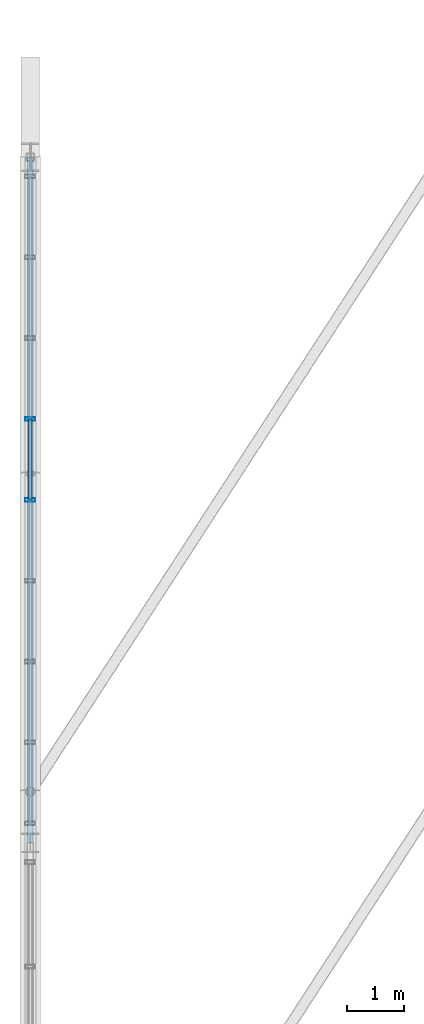
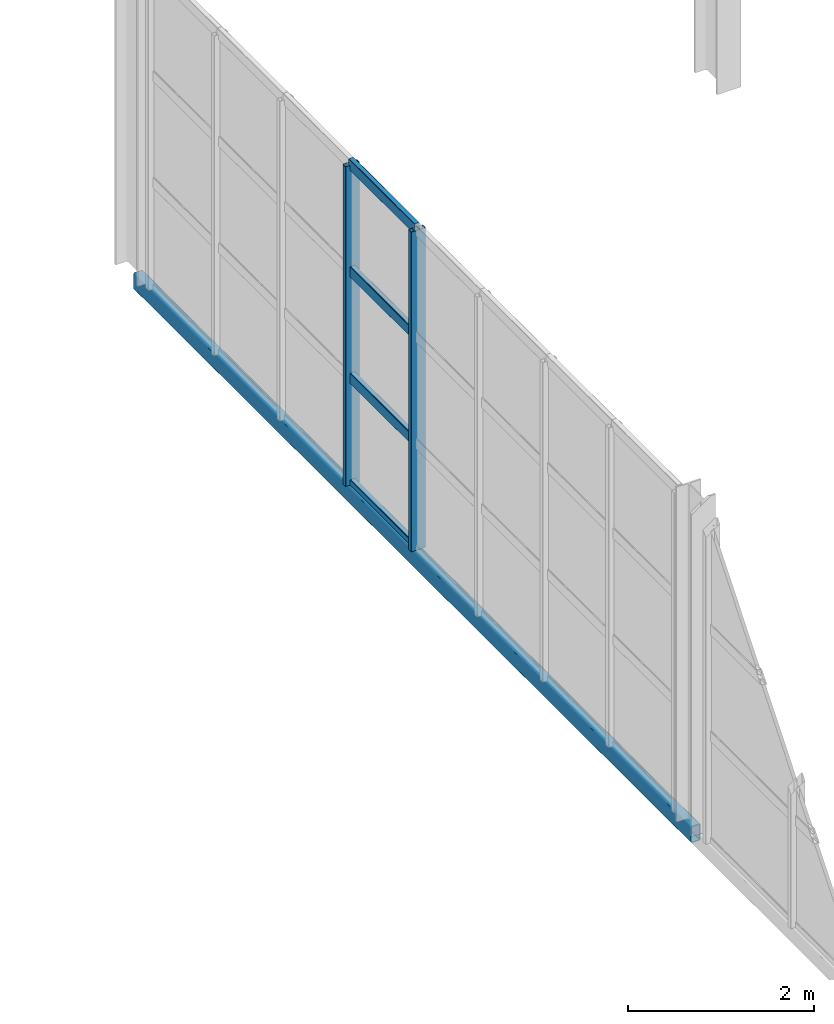
# One storey, part 51 of 153: 6 members, 1 beam, 1 element without a shape of its own.
"""IFC4 building model written with IfcOpenShell, lengths in metres."""

from ifc_helpers import new_model, si_unit, derived_unit, direction, frame, origin, origin_2d, place, context, subcontext, project, spatial, hollow_rectangle, extrude, material, material_profile, profile_set, type_object, element, aggregate, save


model = new_model("IFC4")

# Units and contexts
model_context = context("Model", 3, precision=1e-05, world=origin(), true_north=direction((0.0, 1.0)))
body_context = subcontext(model_context, "Body", "Model", "MODEL_VIEW")
ifc_project = project(units=[si_unit("LENGTHUNIT", "METRE"), si_unit("AREAUNIT", "SQUARE_METRE"), si_unit("VOLUMEUNIT", "CUBIC_METRE"), si_unit("PLANEANGLEUNIT", "RADIAN"), si_unit("MASSUNIT", "GRAM", prefix="KILO"), derived_unit("THERMALTRANSMITTANCEUNIT", [(si_unit("POWERUNIT", "WATT"), 1), (si_unit("LENGTHUNIT", "METRE"), -2), (si_unit("THERMODYNAMICTEMPERATUREUNIT", "KELVIN"), -1)])], contexts=[model_context])

# Site, building, storey
site_placement = place(None, origin())
site = spatial("IfcSite", under=ifc_project, at=site_placement, CompositionType="ELEMENT")
building_placement = place(site_placement, origin())
building = spatial("IfcBuilding", under=site, at=building_placement, Name="Keldorne Ridge Multi-Sports Centre", CompositionType="ELEMENT")
storey_placement = place(building_placement, frame((0.0, 0.0, 9.60009765625)))
storey = spatial("IfcBuildingStorey", under=building, at=storey_placement, Name="L02", CompositionType="ELEMENT", Elevation=9.60009765625)

# Beam
ifc_material_1 = material(Name="Steel S355", Category="steel")
ifc_material_profile_1 = material_profile(ifc_material_1, hollow_rectangle(XDim=0.1201171875, YDim=0.219970703125, WallThickness=0.010009765625, InnerFilletRadius=0.010009765625, OuterFilletRadius=0.02001953125, at=origin_2d()), Name="RHS 220x120x10")
ifc_profile_set_1 = profile_set([ifc_material_profile_1], Name="Steel S355")
beam_type = type_object("IfcBeamType", Name="BM-SP-07", PredefinedType="SPANDREL", material=ifc_profile_set_1)
beam_placement = place(storey_placement, frame((6.0, 42.0, -0.110107421875), z_axis=(0.0, 1.0, 0.0), x_axis=(-1.0, 0.0, 0.0)))
element("IfcBeam", 1, at=beam_placement, inside=storey, type_object=beam_type, Name="Main Hall west gable spandrel L02.5", PredefinedType="SPANDREL", context=body_context, shape_type="SweptSolid", body=[
    extrude(hollow_rectangle(XDim=0.1201171875, YDim=0.219970703125, WallThickness=0.010009765625, InnerFilletRadius=0.010009765625, OuterFilletRadius=0.02001953125, at=origin_2d()), origin(), (0.0, 0.0, 1.0), 12.0),
])

# Curtain wall, members
ifc_material_2 = material(Name="Anodized aluminium", Category="aluminium")
curtain_wall_type = type_object("IfcCurtainWallType", Name="CW-CW-01", PredefinedType="NOTDEFINED", material=ifc_material_2)
curtain_wall_placement = place(storey_placement, origin())
curtain_wall = element("IfcCurtainWall", 2, at=curtain_wall_placement, inside=storey, type_object=curtain_wall_type, Name="Main Hall west high gable glazing 033", PredefinedType="NOTDEFINED")
ifc_material_profile_2 = material_profile(ifc_material_2, hollow_rectangle(XDim=0.06494140625, YDim=0.179931640625, WallThickness=0.00439453125, InnerFilletRadius=0.00439453125, OuterFilletRadius=0.009033203125, at=origin_2d()), Name="ALU MULLION 180x65x4.5")
ifc_profile_set_2 = profile_set([ifc_material_profile_2], Name="Anodized aluminium")
member_type_1 = type_object("IfcMemberType", Name="MEM-ML-01", PredefinedType="MULLION", material=ifc_profile_set_2)
member_1_placement = place(storey_placement, frame((6.0, 49.4150390625, 0.0), z_axis=(0.0, 0.0, 1.0), x_axis=(0.0, 1.0, 0.0)))
member_1 = element("IfcMember", 3, at=member_1_placement, type_object=member_type_1, Name="CW-033 vertical mullion 4", PredefinedType="MULLION", context=body_context, shape_type="SweptSolid", body=[
    extrude(hollow_rectangle(XDim=0.06494140625, YDim=0.179931640625, WallThickness=0.00439453125, InnerFilletRadius=0.00439453125, OuterFilletRadius=0.009033203125, at=origin_2d()), origin(), (0.0, 0.0, 1.0), 4.199951171875),
])
member_2_placement = place(storey_placement, frame((6.0, 48.0, 0.0), z_axis=(0.0, 0.0, 1.0), x_axis=(0.0, 1.0, 0.0)))
member_2 = element("IfcMember", 4, at=member_2_placement, type_object=member_type_1, Name="CW-033 vertical mullion 5", PredefinedType="MULLION", context=body_context, shape_type="SweptSolid", body=[
    extrude(hollow_rectangle(XDim=0.06494140625, YDim=0.179931640625, WallThickness=0.00439453125, InnerFilletRadius=0.00439453125, OuterFilletRadius=0.009033203125, at=origin_2d()), origin(), (0.0, 0.0, 1.0), 4.199951171875),
])
ifc_material_profile_3 = material_profile(ifc_material_2, hollow_rectangle(XDim=0.06494140625, YDim=0.139892578125, WallThickness=0.00439453125, InnerFilletRadius=0.00439453125, OuterFilletRadius=0.009033203125, at=origin_2d()), Name="ALU TRANSOM 140x65x4.5")
ifc_profile_set_3 = profile_set([ifc_material_profile_3], Name="Anodized aluminium")
member_type_2 = type_object("IfcMemberType", Name="MEM-TR-01", PredefinedType="USERDEFINED", material=ifc_profile_set_3)
member_3_placement = place(storey_placement, frame((6.0, 49.4150390625, 0.0), z_axis=(0.0, -1.0, 0.0), x_axis=(1.0, 0.0, 0.0)))
member_3 = element("IfcMember", 5, at=member_3_placement, type_object=member_type_2, Name="CW-033 transom 4.1", ObjectType="TRANSOM", PredefinedType="USERDEFINED", context=body_context, shape_type="SweptSolid", body=[
    extrude(hollow_rectangle(XDim=0.06494140625, YDim=0.139892578125, WallThickness=0.00439453125, InnerFilletRadius=0.00439453125, OuterFilletRadius=0.009033203125, at=origin_2d()), origin(), (0.0, 0.0, 1.0), 1.4150390625),
])
member_4_placement = place(storey_placement, frame((6.0, 49.4150390625, 1.39990234375), z_axis=(0.0, -1.0, 0.0), x_axis=(1.0, 0.0, 0.0)))
member_4 = element("IfcMember", 6, at=member_4_placement, type_object=member_type_2, Name="CW-033 transom 4.2", ObjectType="TRANSOM", PredefinedType="USERDEFINED", context=body_context, shape_type="SweptSolid", body=[
    extrude(hollow_rectangle(XDim=0.06494140625, YDim=0.139892578125, WallThickness=0.00439453125, InnerFilletRadius=0.00439453125, OuterFilletRadius=0.009033203125, at=origin_2d()), origin(), (0.0, 0.0, 1.0), 1.4150390625),
])
member_5_placement = place(storey_placement, frame((6.0, 49.4150390625, 2.7998046875), z_axis=(0.0, -1.0, 0.0), x_axis=(1.0, 0.0, 0.0)))
member_5 = element("IfcMember", 7, at=member_5_placement, type_object=member_type_2, Name="CW-033 transom 4.3", ObjectType="TRANSOM", PredefinedType="USERDEFINED", context=body_context, shape_type="SweptSolid", body=[
    extrude(hollow_rectangle(XDim=0.06494140625, YDim=0.139892578125, WallThickness=0.00439453125, InnerFilletRadius=0.00439453125, OuterFilletRadius=0.009033203125, at=origin_2d()), origin(), (0.0, 0.0, 1.0), 1.4150390625),
])
member_6_placement = place(storey_placement, frame((6.0, 49.4150390625, 4.199951171875), z_axis=(0.0, -1.0, 0.0), x_axis=(1.0, 0.0, 0.0)))
member_6 = element("IfcMember", 8, at=member_6_placement, type_object=member_type_2, Name="CW-033 transom 4.4", ObjectType="TRANSOM", PredefinedType="USERDEFINED", context=body_context, shape_type="SweptSolid", body=[
    extrude(hollow_rectangle(XDim=0.06494140625, YDim=0.139892578125, WallThickness=0.00439453125, InnerFilletRadius=0.00439453125, OuterFilletRadius=0.009033203125, at=origin_2d()), origin(), (0.0, 0.0, 1.0), 1.4150390625),
])
aggregate(curtain_wall, [member_1, member_2, member_3, member_4, member_5, member_6])

save(model, "model.ifc")
